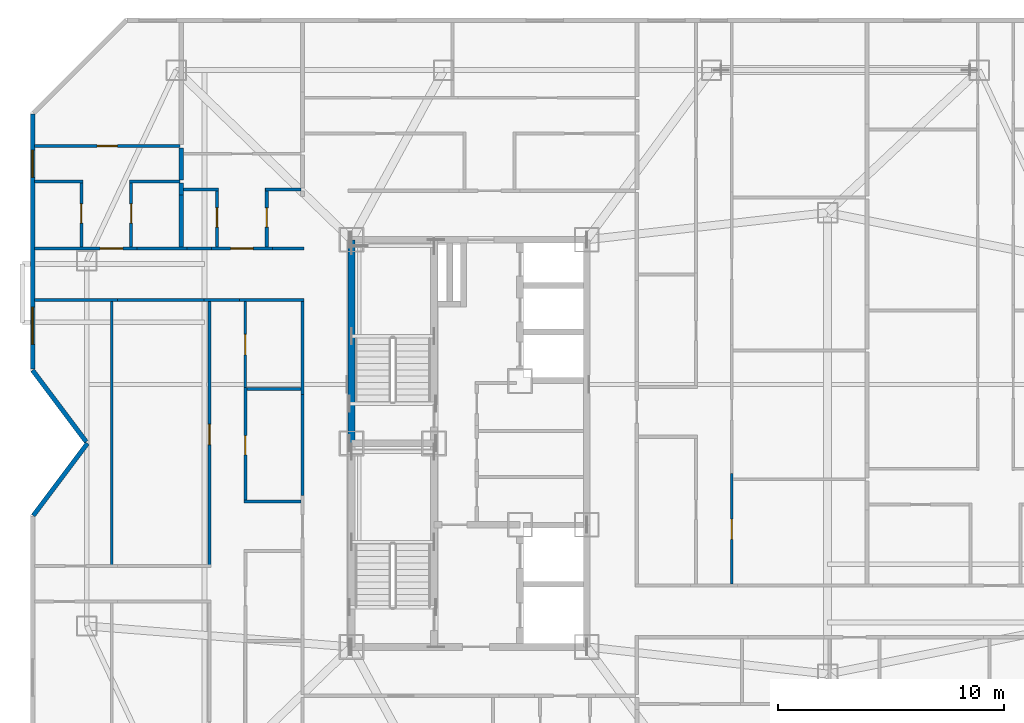
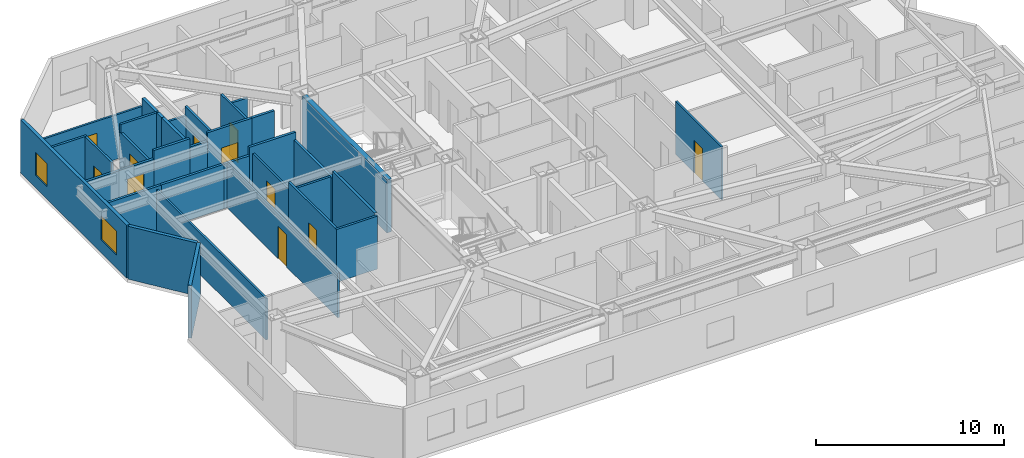
# One storey, part 7 of 12: 34 walls, 11 doors, 2 windows, 13 openings.
"""IFC4 building model written with IfcOpenShell, lengths in metres."""

from ifc_helpers import new_model, si_unit, direction, frame, frame_2d, origin, place, context, subcontext, project, spatial, rectangle, extrude, material, layer, layer_set, type_object, element, fill, save


model = new_model("IFC4")

# Units and contexts
model_context = context("Model", 3, precision=1e-05, world=origin(), true_north=direction((0.0, 1.0)))
body_context = subcontext(model_context, "Body", "Model", "MODEL_VIEW")
ifc_project = project(units=[si_unit("LENGTHUNIT", "METRE"), si_unit("AREAUNIT", "SQUARE_METRE"), si_unit("VOLUMEUNIT", "CUBIC_METRE"), si_unit("PLANEANGLEUNIT", "RADIAN"), si_unit("MASSUNIT", "GRAM", prefix="KILO")], contexts=[model_context])

# Site, building, storey
site_placement = place(None, origin())
site = spatial("IfcSite", under=ifc_project, at=site_placement, CompositionType="ELEMENT")
building_placement = place(site_placement, origin())
building = spatial("IfcBuilding", under=site, at=building_placement, Name="Khamvora Tower", CompositionType="ELEMENT")
storey_placement = place(building_placement, frame((0.0, 0.0, 188.75)))
storey = spatial("IfcBuildingStorey", under=building, at=storey_placement, Name="L48", CompositionType="ELEMENT", Elevation=188.75)

# Walls
ifc_material_1 = material(Name="Concrete C50/60", Category="concrete")
ifc_layer_1 = layer(ifc_material_1, 0.300048828125)
ifc_layer_set_1 = layer_set([ifc_layer_1], Name="Concrete C50/60")
wall_type_1 = type_object("IfcWallType", Name="WAL-CORE-300", PredefinedType="SHEAR", material=ifc_layer_set_1)
wall_1_placement = place(storey_placement, frame((29.0, 28.0, 0.0), z_axis=(0.0, 0.0, 1.0), x_axis=(0.0, 1.0, 0.0)))
element("IfcWall", 1, at=wall_1_placement, inside=storey, type_object=wall_type_1, Name="L48 central core west north wall", PredefinedType="SHEAR", context=body_context, shape_type="SweptSolid", body=[
    extrude(rectangle(XDim=9.0, YDim=0.300048828125, at=frame_2d((4.5, 0.0))), origin(), (0.0, 0.0, 1.0), 3.429931640625),
])
ifc_material_2 = material(Name="Fire-Rated Drywall and Steel Stud", Category="steel")
ifc_layer_2 = layer(ifc_material_2, 0.14990234375)
ifc_layer_set_2 = layer_set([ifc_layer_2], Name="Fire-Rated Drywall and Steel Stud")
wall_type_2 = type_object("IfcWallType", Name="WAL-CORR-150", PredefinedType="STANDARD", material=ifc_layer_set_2)
wall_2_placement = place(storey_placement, frame((26.8349609375, 30.14990234375, 0.0), z_axis=(0.0, 0.0, 1.0), x_axis=(0.0, 1.0, 0.0)))
element("IfcWall", 2, at=wall_2_placement, inside=storey, type_object=wall_type_2, Name="L48 interior partition wall 009", PredefinedType="STANDARD", context=body_context, shape_type="SweptSolid", body=[
    extrude(rectangle(XDim=4.25, YDim=0.14990234375, at=frame_2d((2.125, 0.0))), origin(), (0.0, 0.0, 1.0), 2.95703125),
])
wall_3_placement = place(storey_placement, frame((26.89794921875, 34.3349609375, 0.0), z_axis=(0.0, 0.0, 1.0), x_axis=(-1.0, 0.0, 0.0)))
element("IfcWall", 3, at=wall_3_placement, inside=storey, type_object=wall_type_2, Name="L48 interior partition wall 010", PredefinedType="STANDARD", context=body_context, shape_type="SweptSolid", body=[
    extrude(rectangle(XDim=2.842041015625, YDim=0.14990234375, at=frame_2d((1.4208984375, 0.0))), origin(), (0.0, 0.0, 1.0), 3.429931640625),
])
wall_4_placement = place(storey_placement, frame((24.055908203125, 34.3349609375, 0.0), z_axis=(0.0, 0.0, 1.0), x_axis=(-1.0, 0.0, 0.0)))
element("IfcWall", 4, at=wall_4_placement, inside=storey, type_object=wall_type_2, Name="L48 interior partition wall 012", PredefinedType="STANDARD", context=body_context, shape_type="SweptSolid", body=[
    extrude(rectangle(XDim=1.579833984375, YDim=0.14990234375, at=frame_2d((0.7900390625, 0.0))), origin(), (0.0, 0.0, 1.0), 2.886962890625),
])
wall_5_placement = place(storey_placement, frame((26.8349609375, 25.68310546875, 0.0), z_axis=(0.0, 0.0, 1.0), x_axis=(0.0, 1.0, 0.0)))
element("IfcWall", 5, at=wall_5_placement, inside=storey, type_object=wall_type_2, Name="L48 interior partition wall 014", PredefinedType="STANDARD", context=body_context, shape_type="SweptSolid", body=[
    extrude(rectangle(XDim=4.466796875, YDim=0.14990234375, at=frame_2d((2.2333984375, 0.0))), origin(), (0.0, 0.0, 1.0), 3.429931640625),
])
wall_6_placement = place(storey_placement, frame((18.64990234375, 34.3349609375, 0.0), z_axis=(0.0, 0.0, 1.0), x_axis=(-1.0, 0.0, 0.0)))
element("IfcWall", 6, at=wall_6_placement, inside=storey, type_object=wall_type_2, Name="L48 interior partition wall 015", PredefinedType="STANDARD", context=body_context, shape_type="SweptSolid", body=[
    extrude(rectangle(XDim=3.657958984375, YDim=0.14990234375, at=frame_2d((1.8291015625, 0.0))), origin(), (0.0, 0.0, 1.0), 2.8759765625),
])
wall_7_placement = place(storey_placement, frame((22.47607421875, 34.3349609375, 0.0), z_axis=(0.0, 0.0, 1.0), x_axis=(-1.0, 0.0, 0.0)))
element("IfcWall", 7, at=wall_7_placement, inside=storey, type_object=wall_type_2, Name="L48 interior partition wall 016", PredefinedType="STANDARD", context=body_context, shape_type="SweptSolid", body=[
    extrude(rectangle(XDim=3.826171875, YDim=0.14990234375, at=frame_2d((1.9130859375, 0.0))), origin(), (0.0, 0.0, 1.0), 2.886962890625),
])

# Wall, opening, door
wall_8_placement = place(storey_placement, frame((14.991943359375, 36.614990234375, 0.0), z_axis=(0.0, 0.0, 1.0), x_axis=(1.0, 0.0, 0.0)))
wall_8 = element("IfcWall", 8, at=wall_8_placement, inside=storey, type_object=wall_type_2, Name="L48 interior partition wall 017", PredefinedType="STANDARD", context=body_context, shape_type="SweptSolid", body=[
    extrude(rectangle(XDim=4.51708984375, YDim=0.14990234375, at=frame_2d((2.258544921875, 0.0))), origin(), (0.0, 0.0, 1.0), 2.8759765625),
])
opening_1_placement = place(wall_8_placement, frame((2.89697265625, 0.0, 0.0)))
opening_1 = element("IfcOpeningElement", 9, at=opening_1_placement, cuts=wall_8, Name="Opening D-U1", PredefinedType="OPENING", context=body_context, shape_type="SweptSolid", body=[
    extrude(rectangle(XDim=1.0, YDim=2.14990234375, at=frame_2d((0.5, 1.074951171875))), frame((0.0, 0.0849609375, 0.0), z_axis=(0.0, -1.0, 0.0), x_axis=(1.0, 0.0, 0.0)), (0.0, 0.0, 1.0), 0.169921875),
])
ifc_material_3 = material(Name="Powder-Coated Steel and Hardwood Leaf", Category="steel")
door_type_1 = type_object("IfcDoorType", Name="DOR-UNIT-1000", OperationType="NOTDEFINED", PredefinedType="DOOR", material=ifc_material_3)
door_1_placement = place(opening_1_placement, origin())
door_1 = element("IfcDoor", 10, at=door_1_placement, inside=storey, type_object=door_type_1, Name="L48 interior door COR-48WBH", OperationType="SINGLE_SWING_RIGHT", OverallHeight=2.14990234375, OverallWidth=1.0, PredefinedType="DOOR", context=body_context, shape_type="SweptSolid", body=[
    extrude(rectangle(XDim=1.0, YDim=2.14990234375, at=frame_2d((0.5, 1.074951171875))), frame((0.0, 0.02490234375, 0.0), z_axis=(0.0, -1.0, 0.0), x_axis=(1.0, 0.0, 0.0)), (0.0, 0.0, 1.0), 0.050048828125),
])
fill(opening_1, door_1)

# Wall
wall_9_placement = place(storey_placement, frame((19.509033203125, 36.614990234375, 0.0), z_axis=(0.0, 0.0, 1.0), x_axis=(1.0, 0.0, 0.0)))
element("IfcWall", 11, at=wall_9_placement, inside=storey, type_object=wall_type_2, Name="L48 interior partition wall 018", PredefinedType="STANDARD", context=body_context, shape_type="SweptSolid", body=[
    extrude(rectangle(XDim=2.215087890625, YDim=0.14990234375, at=frame_2d((1.107421875, 0.0))), origin(), (0.0, 0.0, 1.0), 3.429931640625),
])

# Wall, opening, door
wall_10_placement = place(storey_placement, frame((22.805908203125, 36.614990234375, 0.0), z_axis=(0.0, 0.0, 1.0), x_axis=(1.0, 0.0, 0.0)))
wall_10 = element("IfcWall", 12, at=wall_10_placement, inside=storey, type_object=wall_type_2, Name="L48 interior partition wall 019", PredefinedType="STANDARD", context=body_context, shape_type="SweptSolid", body=[
    extrude(rectangle(XDim=2.697998046875, YDim=0.14990234375, at=frame_2d((1.34912109375, 0.0))), origin(), (0.0, 0.0, 1.0), 3.429931640625),
])
opening_2_placement = place(wall_10_placement, frame((0.84912109375, 0.0, 0.0)))
opening_2 = element("IfcOpeningElement", 13, at=opening_2_placement, cuts=wall_10, Name="Opening D-U1", PredefinedType="OPENING", context=body_context, shape_type="SweptSolid", body=[
    extrude(rectangle(XDim=1.0, YDim=2.14990234375, at=frame_2d((0.5, 1.074951171875))), frame((0.0, 0.0849609375, 0.0), z_axis=(0.0, -1.0, 0.0), x_axis=(1.0, 0.0, 0.0)), (0.0, 0.0, 1.0), 0.169921875),
])
door_2_placement = place(opening_2_placement, origin())
door_2 = element("IfcDoor", 14, at=door_2_placement, inside=storey, type_object=door_type_1, Name="L48 interior door COR-48WCH", OperationType="SINGLE_SWING_LEFT", OverallHeight=2.14990234375, OverallWidth=1.0, PredefinedType="DOOR", context=body_context, shape_type="SweptSolid", body=[
    extrude(rectangle(XDim=1.0, YDim=2.14990234375, at=frame_2d((0.5, 1.074951171875))), frame((0.0, 0.02490234375, 0.0), z_axis=(0.0, -1.0, 0.0), x_axis=(1.0, 0.0, 0.0)), (0.0, 0.0, 1.0), 0.050048828125),
])
fill(opening_2, door_2)

# Walls
wall_11_placement = place(storey_placement, frame((25.50390625, 36.614990234375, 0.0), z_axis=(0.0, 0.0, 1.0), x_axis=(1.0, 0.0, 0.0)))
element("IfcWall", 15, at=wall_11_placement, inside=storey, type_object=wall_type_2, Name="L48 interior partition wall 020", PredefinedType="STANDARD", context=body_context, shape_type="SweptSolid", body=[
    extrude(rectangle(XDim=1.39599609375, YDim=0.14990234375, at=frame_2d((0.697998046875, 0.0))), origin(), (0.0, 0.0, 1.0), 3.429931640625),
])
wall_12_placement = place(storey_placement, frame((21.72412109375, 36.614990234375, 0.0), z_axis=(0.0, 0.0, 1.0), x_axis=(1.0, 0.0, 0.0)))
element("IfcWall", 16, at=wall_12_placement, inside=storey, type_object=wall_type_2, Name="L48 interior partition wall 021", PredefinedType="STANDARD", context=body_context, shape_type="SweptSolid", body=[
    extrude(rectangle(XDim=1.081787109375, YDim=0.14990234375, at=frame_2d((0.541015625, 0.0))), origin(), (0.0, 0.0, 1.0), 2.886962890625),
])
ifc_material_4 = material(Name="Acoustic Double-Stud Fire Wall", Category="gypsum")
ifc_layer_3 = layer(ifc_material_4, 0.179931640625)
ifc_layer_set_3 = layer_set([ifc_layer_3], Name="Acoustic Double-Stud Fire Wall")
wall_type_3 = type_object("IfcWallType", Name="WAL-CORR-180", PredefinedType="STANDARD", material=ifc_layer_set_3)
wall_13_placement = place(storey_placement, frame((21.47509765625, 41.055908203125, 0.0), z_axis=(0.0, 0.0, 1.0), x_axis=(0.0, -1.0, 0.0)))
element("IfcWall", 17, at=wall_13_placement, inside=storey, type_object=wall_type_3, Name="L48 interior partition wall 069", PredefinedType="STANDARD", context=body_context, shape_type="SweptSolid", body=[
    extrude(rectangle(XDim=1.423828125, YDim=0.179931640625, at=frame_2d((0.7119140625, 0.0))), origin(), (0.0, 0.0, 1.0), 3.429931640625),
])
wall_14_placement = place(storey_placement, frame((21.47509765625, 39.501953125, 0.0), z_axis=(0.0, 0.0, 1.0), x_axis=(0.0, -1.0, 0.0)))
element("IfcWall", 18, at=wall_14_placement, inside=storey, type_object=wall_type_3, Name="L48 interior partition wall 070", PredefinedType="STANDARD", context=body_context, shape_type="SweptSolid", body=[
    extrude(rectangle(XDim=0.52392578125, YDim=0.179931640625, at=frame_2d((0.261962890625, 0.0))), origin(), (0.0, 0.0, 1.0), 3.429931640625),
])
wall_15_placement = place(storey_placement, frame((21.47509765625, 38.97802734375, 0.0), z_axis=(0.0, 0.0, 1.0), x_axis=(0.0, -1.0, 0.0)))
element("IfcWall", 19, at=wall_15_placement, inside=storey, type_object=wall_type_3, Name="L48 interior partition wall 071", PredefinedType="STANDARD", context=body_context, shape_type="SweptSolid", body=[
    extrude(rectangle(XDim=2.296142578125, YDim=0.179931640625, at=frame_2d((1.14794921875, 0.0))), origin(), (0.0, 0.0, 1.0), 3.429931640625),
])
ifc_material_5 = material(Name="Precast concrete C40/50", Category="concrete")
ifc_layer_4 = layer(ifc_material_5, 0.199951171875)
ifc_layer_set_4 = layer_set([ifc_layer_4], Name="Precast concrete C40/50")
wall_type_4 = type_object("IfcWallType", Name="WAL-EXT-200", PredefinedType="STANDARD", material=ifc_layer_set_4)
wall_16_placement = place(storey_placement, frame((14.929931640625, 24.806884765625, 0.0), z_axis=(0.0, 0.0, 1.0), x_axis=(0.600029358831, 0.799977980035, 0.0)))
element("IfcWall", 20, at=wall_16_placement, inside=storey, type_object=wall_type_4, Name="L48 exterior facade wall 03.1", PredefinedType="STANDARD", context=body_context, shape_type="SweptSolid", body=[
    extrude(rectangle(XDim=3.991455078125, YDim=0.199951171875, at=frame_2d((1.99560546875, 0.0))), origin(), (0.0, 0.0, 1.0), 3.429931640625),
])
wall_17_placement = place(storey_placement, frame((17.27294921875, 28.069091796875, 0.0), z_axis=(0.0, 0.0, 1.0), x_axis=(-0.600029630681, 0.799977776132, 0.0)))
element("IfcWall", 21, at=wall_17_placement, inside=storey, type_object=wall_type_4, Name="L48 exterior facade wall 04.1", PredefinedType="STANDARD", context=body_context, shape_type="SweptSolid", body=[
    extrude(rectangle(XDim=3.954833984375, YDim=0.199951171875, at=frame_2d((1.9775390625, 0.0))), origin(), (0.0, 0.0, 1.0), 3.429931640625),
])

# Wall, openings, windows
wall_18_placement = place(storey_placement, frame((14.89990234375, 31.283935546875, 0.0), z_axis=(0.0, 0.0, 1.0), x_axis=(0.0, 1.0, 0.0)))
wall_18 = element("IfcWall", 22, at=wall_18_placement, inside=storey, type_object=wall_type_4, Name="L48 exterior facade wall 05.1", PredefinedType="STANDARD", context=body_context, shape_type="SweptSolid", body=[
    extrude(rectangle(XDim=11.275146484375, YDim=0.199951171875, at=frame_2d((5.6376953125, 0.0))), origin(), (0.0, 0.0, 1.0), 3.429931640625),
])
opening_3_placement = place(wall_18_placement, frame((1.093017578125, 0.0, 0.85009765625)))
opening_3 = element("IfcOpeningElement", 23, at=opening_3_placement, cuts=wall_18, Name="Opening WN-06", PredefinedType="OPENING", context=body_context, shape_type="SweptSolid", body=[
    extrude(rectangle(XDim=1.64990234375, YDim=1.550048828125, at=frame_2d((0.824951171875, 0.77490234375))), frame((0.0, 0.10986328125, 0.0), z_axis=(0.0, -1.0, 0.0), x_axis=(1.0, 0.0, 0.0)), (0.0, 0.0, 1.0), 0.219970703125),
])
opening_4_placement = place(wall_18_placement, frame((8.472900390625, 0.0, 0.800048828125)))
opening_4 = element("IfcOpeningElement", 24, at=opening_4_placement, cuts=wall_18, Name="Opening WN-03", PredefinedType="OPENING", context=body_context, shape_type="SweptSolid", body=[
    extrude(rectangle(XDim=1.199951171875, YDim=1.5, at=frame_2d((0.60009765625, 0.75))), frame((0.0, 0.10986328125, 0.0), z_axis=(0.0, -1.0, 0.0), x_axis=(1.0, 0.0, 0.0)), (0.0, 0.0, 1.0), 0.219970703125),
])
ifc_material_6 = material(Name="Low-E Laminated Double Glazing", Category="glass")
window_type_1 = type_object("IfcWindowType", Name="WIN-VIS-1200x1500", PartitioningType="SINGLE_PANEL", PredefinedType="WINDOW", material=ifc_material_6)
window_1_placement = place(opening_4_placement, origin())
window_1 = element("IfcWindow", 25, at=window_1_placement, inside=storey, type_object=window_type_1, Name="L48 vision window 05.1.02", OverallHeight=1.5, OverallWidth=1.199951171875, PartitioningType="SINGLE_PANEL", PredefinedType="WINDOW", context=body_context, shape_type="SweptSolid", body=[
    extrude(rectangle(XDim=1.199951171875, YDim=1.5, at=frame_2d((0.60009765625, 0.75))), frame((0.0, 0.030029296875, 0.0), z_axis=(0.0, -1.0, 0.0), x_axis=(1.0, 0.0, 0.0)), (0.0, 0.0, 1.0), 0.06005859375),
])
fill(opening_4, window_1)
window_type_2 = type_object("IfcWindowType", Name="WIN-VIS-1650x1550", PartitioningType="SINGLE_PANEL", PredefinedType="WINDOW", material=ifc_material_6)
window_2_placement = place(opening_3_placement, origin())
window_2 = element("IfcWindow", 26, at=window_2_placement, inside=storey, type_object=window_type_2, Name="L48 vision window 05.1.01", OverallHeight=1.550048828125, OverallWidth=1.64990234375, PartitioningType="SINGLE_PANEL", PredefinedType="WINDOW", context=body_context, shape_type="SweptSolid", body=[
    extrude(rectangle(XDim=1.64990234375, YDim=1.550048828125, at=frame_2d((0.824951171875, 0.77490234375))), frame((0.0, 0.030029296875, 0.0), z_axis=(0.0, -1.0, 0.0), x_axis=(1.0, 0.0, 0.0)), (0.0, 0.0, 1.0), 0.06005859375),
])
fill(opening_3, window_2)

# Wall, opening, door
ifc_material_7 = material(Name="Gypsum Plasterboard Partition", Category="gypsum")
ifc_layer_5 = layer(ifc_material_7, 0.1201171875)
ifc_layer_set_5 = layer_set([ifc_layer_5], Name="Gypsum Plasterboard Partition")
wall_type_5 = type_object("IfcWallType", Name="WAL-PART-120", PredefinedType="PARTITIONING", material=ifc_layer_set_5)
wall_19_placement = place(storey_placement, frame((24.304931640625, 30.464111328125, 0.0), z_axis=(0.0, 0.0, 1.0), x_axis=(0.0, 1.0, 0.0)))
wall_19 = element("IfcWall", 27, at=wall_19_placement, inside=storey, type_object=wall_type_5, Name="L48 interior partition wall 050", PredefinedType="PARTITIONING", context=body_context, shape_type="SweptSolid", body=[
    extrude(rectangle(XDim=3.803955078125, YDim=0.1201171875, at=frame_2d((1.90185546875, 0.0))), origin(), (0.0, 0.0, 1.0), 2.95703125),
])
opening_5_placement = place(wall_19_placement, frame((1.451904296875, 0.0, 0.0)))
opening_5 = element("IfcOpeningElement", 28, at=opening_5_placement, cuts=wall_19, Name="Opening D-RM1", PredefinedType="OPENING", context=body_context, shape_type="SweptSolid", body=[
    extrude(rectangle(XDim=0.89990234375, YDim=2.10009765625, at=frame_2d((0.449951171875, 1.050048828125))), frame((0.0, 0.070068359375, 0.0), z_axis=(0.0, -1.0, 0.0), x_axis=(1.0, 0.0, 0.0)), (0.0, 0.0, 1.0), 0.14013671875),
])
door_type_2 = type_object("IfcDoorType", Name="DOR-ROOM-900", OperationType="NOTDEFINED", PredefinedType="DOOR", material=ifc_material_3)
door_3_placement = place(opening_5_placement, origin())
door_3 = element("IfcDoor", 29, at=door_3_placement, inside=storey, type_object=door_type_2, Name="L48 interior door 48WAW2-48WAH", OperationType="SINGLE_SWING_RIGHT", OverallHeight=2.10009765625, OverallWidth=0.89990234375, PredefinedType="DOOR", context=body_context, shape_type="SweptSolid", body=[
    extrude(rectangle(XDim=0.89990234375, YDim=2.10009765625, at=frame_2d((0.449951171875, 1.050048828125))), frame((0.0, 0.02490234375, 0.0), z_axis=(0.0, -1.0, 0.0), x_axis=(1.0, 0.0, 0.0)), (0.0, 0.0, 1.0), 0.050048828125),
])
fill(opening_5, door_3)

wall_20_placement = place(storey_placement, frame((22.72509765625, 22.510009765625, 0.0), z_axis=(0.0, 0.0, 1.0), x_axis=(0.0, 1.0, 0.0)))
wall_20 = element("IfcWall", 30, at=wall_20_placement, inside=storey, type_object=wall_type_5, Name="L48 interior partition wall 061", PredefinedType="PARTITIONING", context=body_context, shape_type="SweptSolid", body=[
    extrude(rectangle(XDim=11.758056640625, YDim=0.1201171875, at=frame_2d((5.87890625, 0.0))), origin(), (0.0, 0.0, 1.0), 2.886962890625),
])
opening_6_placement = place(wall_20_placement, frame((5.428955078125, 0.0, 0.0)))
opening_6 = element("IfcOpeningElement", 31, at=opening_6_placement, cuts=wall_20, Name="Opening D-RM1", PredefinedType="OPENING", context=body_context, shape_type="SweptSolid", body=[
    extrude(rectangle(XDim=0.89990234375, YDim=2.10009765625, at=frame_2d((0.449951171875, 1.050048828125))), frame((0.0, 0.070068359375, 0.0), z_axis=(0.0, -1.0, 0.0), x_axis=(1.0, 0.0, 0.0)), (0.0, 0.0, 1.0), 0.14013671875),
])
door_4_placement = place(opening_6_placement, origin())
door_4 = element("IfcDoor", 32, at=door_4_placement, inside=storey, type_object=door_type_2, Name="L48 interior door 48WAH-48WAR4", OperationType="SINGLE_SWING_RIGHT", OverallHeight=2.10009765625, OverallWidth=0.89990234375, PredefinedType="DOOR", context=body_context, shape_type="SweptSolid", body=[
    extrude(rectangle(XDim=0.89990234375, YDim=2.10009765625, at=frame_2d((0.449951171875, 1.050048828125))), frame((0.0, 0.02490234375, 0.0), z_axis=(0.0, -1.0, 0.0), x_axis=(1.0, 0.0, 0.0)), (0.0, 0.0, 1.0), 0.050048828125),
])
fill(opening_6, door_4)

# Wall
wall_21_placement = place(storey_placement, frame((18.40087890625, 34.26806640625, 0.0), z_axis=(0.0, 0.0, 1.0), x_axis=(0.0, -1.0, 0.0)))
element("IfcWall", 33, at=wall_21_placement, inside=storey, type_object=wall_type_5, Name="L48 interior partition wall 063", PredefinedType="PARTITIONING", context=body_context, shape_type="SweptSolid", body=[
    extrude(rectangle(XDim=11.63916015625, YDim=0.1201171875, at=frame_2d((5.819580078125, 0.0))), origin(), (0.0, 0.0, 1.0), 2.68701171875),
])

# Wall, opening, door
wall_22_placement = place(storey_placement, frame((14.991943359375, 41.14697265625, 0.0), z_axis=(0.0, 0.0, 1.0), x_axis=(1.0, 0.0, 0.0)))
wall_22 = element("IfcWall", 34, at=wall_22_placement, inside=storey, type_object=wall_type_5, Name="L48 interior partition wall 068", PredefinedType="PARTITIONING", context=body_context, shape_type="SweptSolid", body=[
    extrude(rectangle(XDim=6.41796875, YDim=0.1201171875, at=frame_2d((3.208984375, 0.0))), origin(), (0.0, 0.0, 1.0), 2.8759765625),
])
opening_7_placement = place(wall_22_placement, frame((2.759033203125, 0.0, 0.0)))
opening_7 = element("IfcOpeningElement", 35, at=opening_7_placement, cuts=wall_22, Name="Opening D-RM1", PredefinedType="OPENING", context=body_context, shape_type="SweptSolid", body=[
    extrude(rectangle(XDim=0.89990234375, YDim=2.10009765625, at=frame_2d((0.449951171875, 1.050048828125))), frame((0.0, 0.070068359375, 0.0), z_axis=(0.0, -1.0, 0.0), x_axis=(1.0, 0.0, 0.0)), (0.0, 0.0, 1.0), 0.14013671875),
])
door_5_placement = place(opening_7_placement, origin())
door_5 = element("IfcDoor", 36, at=door_5_placement, inside=storey, type_object=door_type_2, Name="L48 interior door 48WBH-48WBS", OperationType="SINGLE_SWING_LEFT", OverallHeight=2.10009765625, OverallWidth=0.89990234375, PredefinedType="DOOR", context=body_context, shape_type="SweptSolid", body=[
    extrude(rectangle(XDim=0.89990234375, YDim=2.10009765625, at=frame_2d((0.449951171875, 1.050048828125))), frame((0.0, 0.02490234375, 0.0), z_axis=(0.0, -1.0, 0.0), x_axis=(1.0, 0.0, 0.0)), (0.0, 0.0, 1.0), 0.050048828125),
])
fill(opening_7, door_5)

wall_23_placement = place(storey_placement, frame((45.81201171875, 26.658935546875, 0.0), z_axis=(0.0, 0.0, 1.0), x_axis=(0.0, -1.0, 0.0)))
wall_23 = element("IfcWall", 37, at=wall_23_placement, inside=storey, type_object=wall_type_5, Name="L48 interior partition wall 124", PredefinedType="PARTITIONING", context=body_context, shape_type="SweptSolid", body=[
    extrude(rectangle(XDim=4.87890625, YDim=0.1201171875, at=frame_2d((2.439453125, 0.0))), origin(), (0.0, 0.0, 1.0), 3.429931640625),
])
opening_8_placement = place(wall_23_placement, frame((2.010009765625, 0.0, 0.0)))
opening_8 = element("IfcOpeningElement", 38, at=opening_8_placement, cuts=wall_23, Name="Opening D-RM1", PredefinedType="OPENING", context=body_context, shape_type="SweptSolid", body=[
    extrude(rectangle(XDim=0.89990234375, YDim=2.10009765625, at=frame_2d((0.449951171875, 1.050048828125))), frame((0.0, 0.070068359375, 0.0), z_axis=(0.0, -1.0, 0.0), x_axis=(1.0, 0.0, 0.0)), (0.0, 0.0, 1.0), 0.14013671875),
])
door_6_placement = place(opening_8_placement, origin())
door_6 = element("IfcDoor", 39, at=door_6_placement, inside=storey, type_object=door_type_2, Name="L48 interior door 48EBH-48EBL", OperationType="SINGLE_SWING_LEFT", OverallHeight=2.10009765625, OverallWidth=0.89990234375, PredefinedType="DOOR", context=body_context, shape_type="SweptSolid", body=[
    extrude(rectangle(XDim=0.89990234375, YDim=2.10009765625, at=frame_2d((0.449951171875, 1.050048828125))), frame((0.0, 0.02490234375, 0.0), z_axis=(0.0, -1.0, 0.0), x_axis=(1.0, 0.0, 0.0)), (0.0, 0.0, 1.0), 0.050048828125),
])
fill(opening_8, door_6)

# Wall
ifc_material_8 = material(Name="Moisture-Resistant Plasterboard Partition", Category="gypsum")
ifc_layer_6 = layer(ifc_material_8, 0.135009765625)
ifc_layer_set_6 = layer_set([ifc_layer_6], Name="Moisture-Resistant Plasterboard Partition")
wall_type_6 = type_object("IfcWallType", Name="WAL-WET-135", PredefinedType="PARTITIONING", material=ifc_layer_set_6)
wall_24_placement = place(storey_placement, frame((26.77001953125, 30.39892578125, 0.0), z_axis=(0.0, 0.0, 1.0), x_axis=(-1.0, 0.0, 0.0)))
element("IfcWall", 40, at=wall_24_placement, inside=storey, type_object=wall_type_6, Name="L48 interior partition wall 051", PredefinedType="PARTITIONING", context=body_context, shape_type="SweptSolid", body=[
    extrude(rectangle(XDim=2.39990234375, YDim=0.135009765625, at=frame_2d((1.199951171875, 0.0))), origin(), (0.0, 0.0, 1.0), 2.95703125),
])

# Wall, opening, door
wall_25_placement = place(storey_placement, frame((24.304931640625, 30.464111328125, 0.0), z_axis=(0.0, 0.0, 1.0), x_axis=(0.0, -1.0, 0.0)))
wall_25 = element("IfcWall", 41, at=wall_25_placement, inside=storey, type_object=wall_type_6, Name="L48 interior partition wall 054", PredefinedType="PARTITIONING", context=body_context, shape_type="SweptSolid", body=[
    extrude(rectangle(XDim=5.09521484375, YDim=0.135009765625, at=frame_2d((2.547607421875, 0.0))), origin(), (0.0, 0.0, 1.0), 3.429931640625),
])
opening_9_placement = place(wall_25_placement, frame((2.123046875, 0.0, 0.0)))
opening_9 = element("IfcOpeningElement", 42, at=opening_9_placement, cuts=wall_25, Name="Opening D-RM2", PredefinedType="OPENING", context=body_context, shape_type="SweptSolid", body=[
    extrude(rectangle(XDim=0.85009765625, YDim=2.10009765625, at=frame_2d((0.425048828125, 1.050048828125))), frame((0.0, 0.077392578125, 0.0), z_axis=(0.0, -1.0, 0.0), x_axis=(1.0, 0.0, 0.0)), (0.0, 0.0, 1.0), 0.155029296875),
])
door_type_3 = type_object("IfcDoorType", Name="DOR-ROOM-850", OperationType="NOTDEFINED", PredefinedType="DOOR", material=ifc_material_3)
door_7_placement = place(opening_9_placement, origin())
door_7 = element("IfcDoor", 43, at=door_7_placement, inside=storey, type_object=door_type_3, Name="L48 interior door 48WAH-48WAK", OperationType="SINGLE_SWING_RIGHT", OverallHeight=2.10009765625, OverallWidth=0.85009765625, PredefinedType="DOOR", context=body_context, shape_type="SweptSolid", body=[
    extrude(rectangle(XDim=0.85009765625, YDim=2.10009765625, at=frame_2d((0.425048828125, 1.050048828125))), frame((0.0, 0.02490234375, 0.0), z_axis=(0.0, -1.0, 0.0), x_axis=(1.0, 0.0, 0.0)), (0.0, 0.0, 1.0), 0.050048828125),
])
fill(opening_9, door_7)

# Wall
wall_26_placement = place(storey_placement, frame((24.239990234375, 25.43408203125, 0.0), z_axis=(0.0, 0.0, 1.0), x_axis=(1.0, 0.0, 0.0)))
element("IfcWall", 44, at=wall_26_placement, inside=storey, type_object=wall_type_6, Name="L48 interior partition wall 055", PredefinedType="PARTITIONING", context=body_context, shape_type="SweptSolid", body=[
    extrude(rectangle(XDim=2.530029296875, YDim=0.135009765625, at=frame_2d((1.26513671875, 0.0))), origin(), (0.0, 0.0, 1.0), 3.429931640625),
])

# Wall, opening, door
wall_27_placement = place(storey_placement, frame((17.06005859375, 36.681884765625, 0.0), z_axis=(0.0, 0.0, 1.0), x_axis=(0.0, 1.0, 0.0)))
wall_27 = element("IfcWall", 45, at=wall_27_placement, inside=storey, type_object=wall_type_6, Name="L48 interior partition wall 064", PredefinedType="PARTITIONING", context=body_context, shape_type="SweptSolid", body=[
    extrude(rectangle(XDim=2.9501953125, YDim=0.135009765625, at=frame_2d((1.47509765625, 0.0))), origin(), (0.0, 0.0, 1.0), 3.429931640625),
])
opening_10_placement = place(wall_27_placement, frame((1.050048828125, 0.0, 0.0)))
opening_10 = element("IfcOpeningElement", 46, at=opening_10_placement, cuts=wall_27, Name="Opening D-WC1", PredefinedType="OPENING", context=body_context, shape_type="SweptSolid", body=[
    extrude(rectangle(XDim=0.85009765625, YDim=2.10009765625, at=frame_2d((0.425048828125, 1.050048828125))), frame((0.0, 0.077392578125, 0.0), z_axis=(0.0, -1.0, 0.0), x_axis=(1.0, 0.0, 0.0)), (0.0, 0.0, 1.0), 0.155029296875),
])
door_type_4 = type_object("IfcDoorType", Name="DOR-WET-850", OperationType="NOTDEFINED", PredefinedType="DOOR", material=ifc_material_3)
door_8_placement = place(opening_10_placement, origin())
door_8 = element("IfcDoor", 47, at=door_8_placement, inside=storey, type_object=door_type_4, Name="L48 interior door 48WBH-48WBB", OperationType="SINGLE_SWING_LEFT", OverallHeight=2.10009765625, OverallWidth=0.85009765625, PredefinedType="DOOR", context=body_context, shape_type="SweptSolid", body=[
    extrude(rectangle(XDim=0.85009765625, YDim=2.10009765625, at=frame_2d((0.425048828125, 1.050048828125))), frame((0.0, 0.02490234375, 0.0), z_axis=(0.0, -1.0, 0.0), x_axis=(1.0, 0.0, 0.0)), (0.0, 0.0, 1.0), 0.050048828125),
])
fill(opening_10, door_8)

# Walls
wall_28_placement = place(storey_placement, frame((17.125, 39.56689453125, 0.0), z_axis=(0.0, 0.0, 1.0), x_axis=(-1.0, 0.0, 0.0)))
element("IfcWall", 48, at=wall_28_placement, inside=storey, type_object=wall_type_6, Name="L48 interior partition wall 065", PredefinedType="PARTITIONING", context=body_context, shape_type="SweptSolid", body=[
    extrude(rectangle(XDim=2.133056640625, YDim=0.135009765625, at=frame_2d((1.06640625, 0.0))), origin(), (0.0, 0.0, 1.0), 3.429931640625),
])
wall_29_placement = place(storey_placement, frame((21.409912109375, 39.56689453125, 0.0), z_axis=(0.0, 0.0, 1.0), x_axis=(-1.0, 0.0, 0.0)))
element("IfcWall", 49, at=wall_29_placement, inside=storey, type_object=wall_type_6, Name="L48 interior partition wall 066", PredefinedType="PARTITIONING", context=body_context, shape_type="SweptSolid", body=[
    extrude(rectangle(XDim=2.21484375, YDim=0.135009765625, at=frame_2d((1.107421875, 0.0))), origin(), (0.0, 0.0, 1.0), 3.429931640625),
])

# Wall, opening, door
wall_30_placement = place(storey_placement, frame((19.260009765625, 39.632080078125, 0.0), z_axis=(0.0, 0.0, 1.0), x_axis=(0.0, -1.0, 0.0)))
wall_30 = element("IfcWall", 50, at=wall_30_placement, inside=storey, type_object=wall_type_6, Name="L48 interior partition wall 067", PredefinedType="PARTITIONING", context=body_context, shape_type="SweptSolid", body=[
    extrude(rectangle(XDim=2.9501953125, YDim=0.135009765625, at=frame_2d((1.47509765625, 0.0))), origin(), (0.0, 0.0, 1.0), 2.8759765625),
])
opening_11_placement = place(wall_30_placement, frame((1.050048828125, 0.0, 0.0)))
opening_11 = element("IfcOpeningElement", 51, at=opening_11_placement, cuts=wall_30, Name="Opening D-RM2", PredefinedType="OPENING", context=body_context, shape_type="SweptSolid", body=[
    extrude(rectangle(XDim=0.85009765625, YDim=2.10009765625, at=frame_2d((0.425048828125, 1.050048828125))), frame((0.0, 0.077392578125, 0.0), z_axis=(0.0, -1.0, 0.0), x_axis=(1.0, 0.0, 0.0)), (0.0, 0.0, 1.0), 0.155029296875),
])
door_9_placement = place(opening_11_placement, origin())
door_9 = element("IfcDoor", 52, at=door_9_placement, inside=storey, type_object=door_type_3, Name="L48 interior door 48WBH-48WBK", OperationType="SINGLE_SWING_RIGHT", OverallHeight=2.10009765625, OverallWidth=0.85009765625, PredefinedType="DOOR", context=body_context, shape_type="SweptSolid", body=[
    extrude(rectangle(XDim=0.85009765625, YDim=2.10009765625, at=frame_2d((0.425048828125, 1.050048828125))), frame((0.0, 0.02490234375, 0.0), z_axis=(0.0, -1.0, 0.0), x_axis=(1.0, 0.0, 0.0)), (0.0, 0.0, 1.0), 0.050048828125),
])
fill(opening_11, door_9)

# Wall
wall_31_placement = place(storey_placement, frame((26.77001953125, 39.22705078125, 0.0), z_axis=(0.0, 0.0, 1.0), x_axis=(-1.0, 0.0, 0.0)))
element("IfcWall", 53, at=wall_31_placement, inside=storey, type_object=wall_type_6, Name="L48 interior partition wall 073", PredefinedType="PARTITIONING", context=body_context, shape_type="SweptSolid", body=[
    extrude(rectangle(XDim=1.580078125, YDim=0.135009765625, at=frame_2d((0.7900390625, 0.0))), origin(), (0.0, 0.0, 1.0), 2.72509765625),
])

# Wall, opening, door
wall_32_placement = place(storey_placement, frame((25.2548828125, 39.2919921875, 0.0), z_axis=(0.0, 0.0, 1.0), x_axis=(0.0, -1.0, 0.0)))
wall_32 = element("IfcWall", 54, at=wall_32_placement, inside=storey, type_object=wall_type_6, Name="L48 interior partition wall 074", PredefinedType="PARTITIONING", context=body_context, shape_type="SweptSolid", body=[
    extrude(rectangle(XDim=2.610107421875, YDim=0.135009765625, at=frame_2d((1.30517578125, 0.0))), origin(), (0.0, 0.0, 1.0), 3.429931640625),
])
opening_12_placement = place(wall_32_placement, frame((0.8798828125, 0.0, 0.0)))
opening_12 = element("IfcOpeningElement", 55, at=opening_12_placement, cuts=wall_32, Name="Opening D-WC1", PredefinedType="OPENING", context=body_context, shape_type="SweptSolid", body=[
    extrude(rectangle(XDim=0.85009765625, YDim=2.10009765625, at=frame_2d((0.425048828125, 1.050048828125))), frame((0.0, 0.077392578125, 0.0), z_axis=(0.0, -1.0, 0.0), x_axis=(1.0, 0.0, 0.0)), (0.0, 0.0, 1.0), 0.155029296875),
])
door_10_placement = place(opening_12_placement, origin())
door_10 = element("IfcDoor", 56, at=door_10_placement, inside=storey, type_object=door_type_4, Name="L48 interior door 48WCH-48WCB", OperationType="SINGLE_SWING_RIGHT", OverallHeight=2.10009765625, OverallWidth=0.85009765625, PredefinedType="DOOR", context=body_context, shape_type="SweptSolid", body=[
    extrude(rectangle(XDim=0.85009765625, YDim=2.10009765625, at=frame_2d((0.425048828125, 1.050048828125))), frame((0.0, 0.02490234375, 0.0), z_axis=(0.0, -1.0, 0.0), x_axis=(1.0, 0.0, 0.0)), (0.0, 0.0, 1.0), 0.050048828125),
])
fill(opening_12, door_10)

wall_33_placement = place(storey_placement, frame((23.054931640625, 36.681884765625, 0.0), z_axis=(0.0, 0.0, 1.0), x_axis=(0.0, 1.0, 0.0)))
wall_33 = element("IfcWall", 57, at=wall_33_placement, inside=storey, type_object=wall_type_6, Name="L48 interior partition wall 075", PredefinedType="PARTITIONING", context=body_context, shape_type="SweptSolid", body=[
    extrude(rectangle(XDim=2.610107421875, YDim=0.135009765625, at=frame_2d((1.30517578125, 0.0))), origin(), (0.0, 0.0, 1.0), 3.429931640625),
])
opening_13_placement = place(wall_33_placement, frame((0.8798828125, 0.0, 0.0)))
opening_13 = element("IfcOpeningElement", 58, at=opening_13_placement, cuts=wall_33, Name="Opening D-RM2", PredefinedType="OPENING", context=body_context, shape_type="SweptSolid", body=[
    extrude(rectangle(XDim=0.85009765625, YDim=2.10009765625, at=frame_2d((0.425048828125, 1.050048828125))), frame((0.0, 0.077392578125, 0.0), z_axis=(0.0, -1.0, 0.0), x_axis=(1.0, 0.0, 0.0)), (0.0, 0.0, 1.0), 0.155029296875),
])
door_11_placement = place(opening_13_placement, origin())
door_11 = element("IfcDoor", 59, at=door_11_placement, inside=storey, type_object=door_type_3, Name="L48 interior door 48WCH-48WCK", OperationType="SINGLE_SWING_LEFT", OverallHeight=2.10009765625, OverallWidth=0.85009765625, PredefinedType="DOOR", context=body_context, shape_type="SweptSolid", body=[
    extrude(rectangle(XDim=0.85009765625, YDim=2.10009765625, at=frame_2d((0.425048828125, 1.050048828125))), frame((0.0, 0.02490234375, 0.0), z_axis=(0.0, -1.0, 0.0), x_axis=(1.0, 0.0, 0.0)), (0.0, 0.0, 1.0), 0.050048828125),
])
fill(opening_13, door_11)

# Wall
wall_34_placement = place(storey_placement, frame((23.1201171875, 39.22705078125, 0.0), z_axis=(0.0, 0.0, 1.0), x_axis=(-1.0, 0.0, 0.0)))
element("IfcWall", 60, at=wall_34_placement, inside=storey, type_object=wall_type_6, Name="L48 interior partition wall 076", PredefinedType="PARTITIONING", context=body_context, shape_type="SweptSolid", body=[
    extrude(rectangle(XDim=1.563232421875, YDim=0.135009765625, at=frame_2d((0.78173828125, 0.0))), origin(), (0.0, 0.0, 1.0), 2.886962890625),
])

save(model, "model.ifc")
